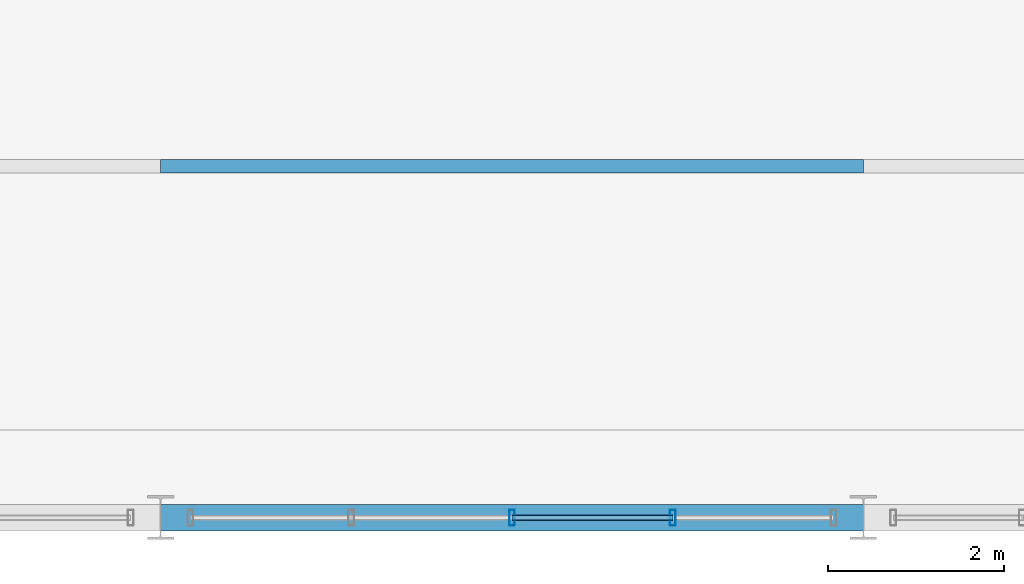
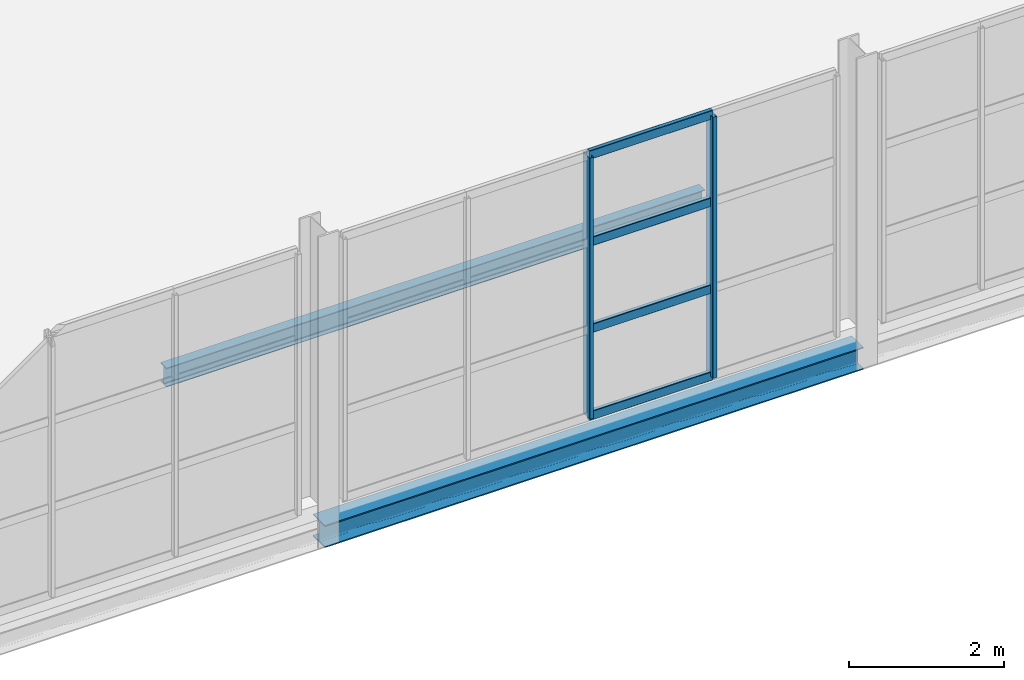
# One storey, part 70 of 153: 6 members, 2 beams, 1 element without a shape of its own.
"""IFC4 building model written with IfcOpenShell, lengths in metres."""

from ifc_helpers import new_model, si_unit, derived_unit, direction, frame, origin, origin_2d, place, context, subcontext, project, spatial, hollow_rectangle, i_section, extrude, material, material_profile, profile_set, type_object, element, aggregate, save


model = new_model("IFC4")

# Units and contexts
model_context = context("Model", 3, precision=1e-05, world=origin(), true_north=direction((0.0, 1.0)))
body_context = subcontext(model_context, "Body", "Model", "MODEL_VIEW")
ifc_project = project(units=[si_unit("LENGTHUNIT", "METRE"), si_unit("AREAUNIT", "SQUARE_METRE"), si_unit("VOLUMEUNIT", "CUBIC_METRE"), si_unit("PLANEANGLEUNIT", "RADIAN"), si_unit("MASSUNIT", "GRAM", prefix="KILO"), derived_unit("THERMALTRANSMITTANCEUNIT", [(si_unit("POWERUNIT", "WATT"), 1), (si_unit("LENGTHUNIT", "METRE"), -2), (si_unit("THERMODYNAMICTEMPERATUREUNIT", "KELVIN"), -1)])], contexts=[model_context])

# Site, building, storey
site_placement = place(None, origin())
site = spatial("IfcSite", under=ifc_project, at=site_placement, CompositionType="ELEMENT")
building_placement = place(site_placement, origin())
building = spatial("IfcBuilding", under=site, at=building_placement, Name="Keldorne Ridge Multi-Sports Centre", CompositionType="ELEMENT")
storey_placement = place(building_placement, frame((0.0, 0.0, 9.60009765625)))
storey = spatial("IfcBuildingStorey", under=building, at=storey_placement, Name="L02", CompositionType="ELEMENT", Elevation=9.60009765625)

# Beams
ifc_material_1 = material(Name="Steel S355", Category="steel")
ifc_material_profile_1 = material_profile(ifc_material_1, i_section(OverallWidth=0.14990234375, OverallDepth=0.300048828125, WebThickness=0.007080078125, FlangeThickness=0.0107421875, FilletRadius=0.014892578125, at=origin_2d()), Name="IPE 300")
ifc_profile_set_1 = profile_set([ifc_material_profile_1], Name="Steel S355")
beam_type_1 = type_object("IfcBeamType", Name="BM-J-02", PredefinedType="JOIST", material=ifc_profile_set_1)
beam_1_placement = place(storey_placement, frame((128.0, 10.0, -0.39013671875), z_axis=(1.0, 0.0, 0.0), x_axis=(0.0, 1.0, 0.0)))
element("IfcBeam", 1, at=beam_1_placement, inside=storey, type_object=beam_type_1, Name="L02 Stacked Courts beam 4.2", PredefinedType="JOIST", context=body_context, shape_type="SweptSolid", body=[
    extrude(i_section(OverallWidth=0.14990234375, OverallDepth=0.300048828125, WebThickness=0.007080078125, FlangeThickness=0.0107421875, FilletRadius=0.014892578125, at=origin_2d()), origin(), (0.0, 0.0, 1.0), 8.0),
])
ifc_material_profile_2 = material_profile(ifc_material_1, i_section(OverallWidth=0.300048828125, OverallDepth=0.35009765625, WebThickness=0.010009765625, FlangeThickness=0.017578125, FilletRadius=0.027099609375, at=origin_2d()), Name="HEA 360")
ifc_profile_set_2 = profile_set([ifc_material_profile_2], Name="Steel S355")
beam_type_2 = type_object("IfcBeamType", Name="BM-SP-03", PredefinedType="SPANDREL", material=ifc_profile_set_2)
beam_2_placement = place(storey_placement, frame((128.0, 6.0, -0.4150390625), z_axis=(1.0, 0.0, 0.0), x_axis=(0.0, 1.0, 0.0)))
element("IfcBeam", 2, at=beam_2_placement, inside=storey, type_object=beam_type_2, Name="L02 Stacked Courts beam 4.1", PredefinedType="SPANDREL", context=body_context, shape_type="SweptSolid", body=[
    extrude(i_section(OverallWidth=0.300048828125, OverallDepth=0.35009765625, WebThickness=0.010009765625, FlangeThickness=0.017578125, FilletRadius=0.027099609375, at=origin_2d()), origin(), (0.0, 0.0, 1.0), 8.0),
])

# Curtain wall, members
ifc_material_2 = material(Name="Anodized aluminium", Category="aluminium")
curtain_wall_type = type_object("IfcCurtainWallType", Name="CW-CW-03", PredefinedType="NOTDEFINED", material=ifc_material_2)
curtain_wall_placement = place(storey_placement, origin())
curtain_wall = element("IfcCurtainWall", 3, at=curtain_wall_placement, inside=storey, type_object=curtain_wall_type, Name="Upper Courts south curtain wall 107", PredefinedType="NOTDEFINED")
ifc_material_profile_3 = material_profile(ifc_material_2, hollow_rectangle(XDim=0.06494140625, YDim=0.179931640625, WallThickness=0.00439453125, InnerFilletRadius=0.00439453125, OuterFilletRadius=0.009033203125, at=origin_2d()), Name="ALU MULLION 180x65x4.5")
ifc_profile_set_3 = profile_set([ifc_material_profile_3], Name="Anodized aluminium")
member_type_1 = type_object("IfcMemberType", Name="MEM-ML-01", PredefinedType="MULLION", material=ifc_profile_set_3)
member_1_placement = place(storey_placement, frame((132.0, 6.0, 0.0), z_axis=(0.0, 0.0, 1.0), x_axis=(1.0, 0.0, 0.0)))
member_1 = element("IfcMember", 4, at=member_1_placement, type_object=member_type_1, Name="CW-107 vertical mullion 3", PredefinedType="MULLION", context=body_context, shape_type="SweptSolid", body=[
    extrude(hollow_rectangle(XDim=0.06494140625, YDim=0.179931640625, WallThickness=0.00439453125, InnerFilletRadius=0.00439453125, OuterFilletRadius=0.009033203125, at=origin_2d()), origin(), (0.0, 0.0, 1.0), 4.099853515625),
])
member_2_placement = place(storey_placement, frame((133.830078125, 6.0, 0.0), z_axis=(0.0, 0.0, 1.0), x_axis=(1.0, 0.0, 0.0)))
member_2 = element("IfcMember", 5, at=member_2_placement, type_object=member_type_1, Name="CW-107 vertical mullion 4", PredefinedType="MULLION", context=body_context, shape_type="SweptSolid", body=[
    extrude(hollow_rectangle(XDim=0.06494140625, YDim=0.179931640625, WallThickness=0.00439453125, InnerFilletRadius=0.00439453125, OuterFilletRadius=0.009033203125, at=origin_2d()), origin(), (0.0, 0.0, 1.0), 4.099853515625),
])
ifc_material_profile_4 = material_profile(ifc_material_2, hollow_rectangle(XDim=0.06494140625, YDim=0.139892578125, WallThickness=0.00439453125, InnerFilletRadius=0.00439453125, OuterFilletRadius=0.009033203125, at=origin_2d()), Name="ALU TRANSOM 140x65x4.5")
ifc_profile_set_4 = profile_set([ifc_material_profile_4], Name="Anodized aluminium")
member_type_2 = type_object("IfcMemberType", Name="MEM-TR-01", PredefinedType="USERDEFINED", material=ifc_profile_set_4)
member_3_placement = place(storey_placement, frame((132.0, 6.0, 0.0), z_axis=(1.0, 0.0, 0.0), x_axis=(0.0, 1.0, 0.0)))
member_3 = element("IfcMember", 6, at=member_3_placement, type_object=member_type_2, Name="CW-107 transom 3.1", ObjectType="TRANSOM", PredefinedType="USERDEFINED", context=body_context, shape_type="SweptSolid", body=[
    extrude(hollow_rectangle(XDim=0.06494140625, YDim=0.139892578125, WallThickness=0.00439453125, InnerFilletRadius=0.00439453125, OuterFilletRadius=0.009033203125, at=origin_2d()), origin(), (0.0, 0.0, 1.0), 1.830078125),
])
member_4_placement = place(storey_placement, frame((132.0, 6.0, 1.36669921875), z_axis=(1.0, 0.0, 0.0), x_axis=(0.0, 1.0, 0.0)))
member_4 = element("IfcMember", 7, at=member_4_placement, type_object=member_type_2, Name="CW-107 transom 3.2", ObjectType="TRANSOM", PredefinedType="USERDEFINED", context=body_context, shape_type="SweptSolid", body=[
    extrude(hollow_rectangle(XDim=0.06494140625, YDim=0.139892578125, WallThickness=0.00439453125, InnerFilletRadius=0.00439453125, OuterFilletRadius=0.009033203125, at=origin_2d()), origin(), (0.0, 0.0, 1.0), 1.830078125),
])
member_5_placement = place(storey_placement, frame((132.0, 6.0, 2.733154296875), z_axis=(1.0, 0.0, 0.0), x_axis=(0.0, 1.0, 0.0)))
member_5 = element("IfcMember", 8, at=member_5_placement, type_object=member_type_2, Name="CW-107 transom 3.3", ObjectType="TRANSOM", PredefinedType="USERDEFINED", context=body_context, shape_type="SweptSolid", body=[
    extrude(hollow_rectangle(XDim=0.06494140625, YDim=0.139892578125, WallThickness=0.00439453125, InnerFilletRadius=0.00439453125, OuterFilletRadius=0.009033203125, at=origin_2d()), origin(), (0.0, 0.0, 1.0), 1.830078125),
])
member_6_placement = place(storey_placement, frame((132.0, 6.0, 4.099853515625), z_axis=(1.0, 0.0, 0.0), x_axis=(0.0, 1.0, 0.0)))
member_6 = element("IfcMember", 9, at=member_6_placement, type_object=member_type_2, Name="CW-107 transom 3.4", ObjectType="TRANSOM", PredefinedType="USERDEFINED", context=body_context, shape_type="SweptSolid", body=[
    extrude(hollow_rectangle(XDim=0.06494140625, YDim=0.139892578125, WallThickness=0.00439453125, InnerFilletRadius=0.00439453125, OuterFilletRadius=0.009033203125, at=origin_2d()), origin(), (0.0, 0.0, 1.0), 1.830078125),
])
aggregate(curtain_wall, [member_1, member_2, member_3, member_4, member_5, member_6])

save(model, "model.ifc")
